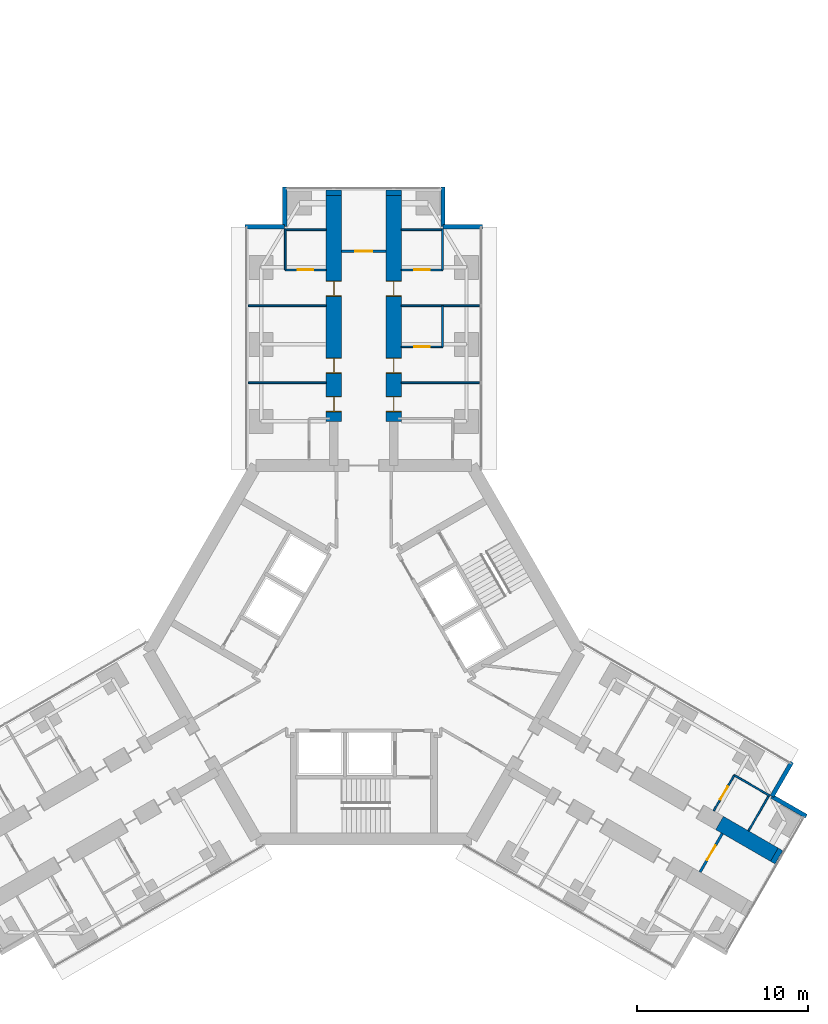
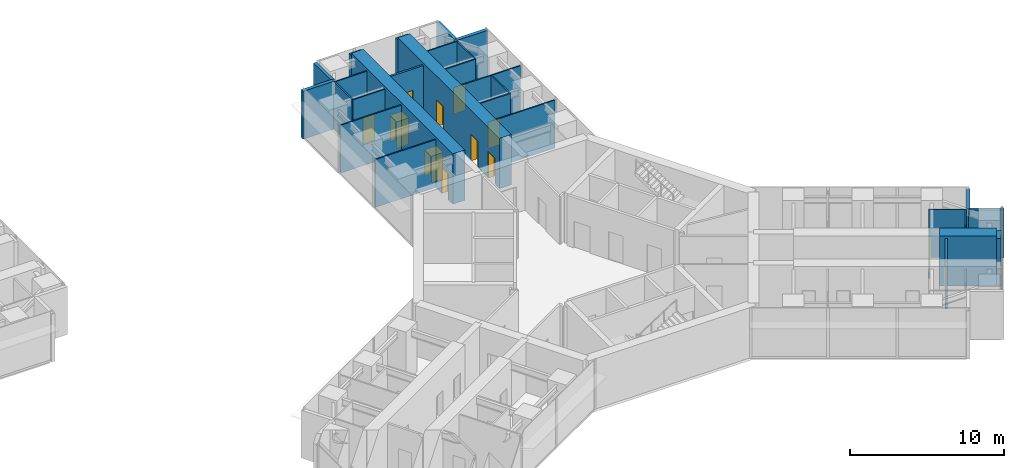
# One storey, part 23 of 25: 29 walls, 12 doors, 12 openings.
"""IFC4 building model written with IfcOpenShell, lengths in metres."""

from ifc_helpers import new_model, si_unit, direction, frame, frame_2d, origin, place, context, subcontext, project, spatial, rectangle, extrude, material, layer, layer_set, type_object, element, fill, save


model = new_model("IFC4")

# Units and contexts
model_context = context("Model", 3, precision=1e-05, world=origin(), true_north=direction((0.0, 1.0)))
body_context = subcontext(model_context, "Body", "Model", "MODEL_VIEW")
ifc_project = project(units=[si_unit("LENGTHUNIT", "METRE"), si_unit("AREAUNIT", "SQUARE_METRE"), si_unit("VOLUMEUNIT", "CUBIC_METRE"), si_unit("PLANEANGLEUNIT", "RADIAN"), si_unit("MASSUNIT", "GRAM", prefix="KILO")], contexts=[model_context])

# Site, building, storey
site_placement = place(None, origin())
site = spatial("IfcSite", under=ifc_project, at=site_placement, CompositionType="ELEMENT")
building_placement = place(site_placement, origin())
building = spatial("IfcBuilding", under=site, at=building_placement, Name="Upepo Twin Towers", CompositionType="ELEMENT")
storey_placement = place(building_placement, frame((0.0, 0.0, 76.5)))
storey = spatial("IfcBuildingStorey", under=building, at=storey_placement, Name="L18", CompositionType="ELEMENT", Elevation=76.5)

# Walls
ifc_material_1 = material(Name="Dense concrete blockwork", Category="masonry")
ifc_layer_1 = layer(ifc_material_1, 0.89990234375)
ifc_layer_set_1 = layer_set([ifc_layer_1], Name="Buttress closer 900, blockwork with fire-stopping to the curtain wall")
wall_type_1 = type_object("IfcWallType", Name="Buttress closer 900, blockwork with fire-stopping to the curtain wall", PredefinedType="PARTITIONING", material=ifc_layer_set_1)
for number, where, z_axis, x_axis, name in (
    (1, (56.75, 8.699951171875, 0.0), (0.0, 0.0, 1.0), (0.0, 1.0, 0.0), "T2 L18 wing A buttress closer L"),
    (2, (60.25, 8.699951171875, 0.0), (0.0, 0.0, 1.0), (0.0, 1.0, 0.0), "T2 L18 wing A buttress closer R"),
    (3, (82.497802734375, -29.83447265625, 0.0), (0.0, 0.0, 1.0), (0.866054481515, -0.499949632511, 0.0), "T2 L18 wing C buttress closer L"),
):
    element("IfcWall", number, at=place(storey_placement, frame(where, z_axis=z_axis, x_axis=x_axis)), inside=storey, type_object=wall_type_1, Name=name, PredefinedType="PARTITIONING", context=body_context, shape_type="SweptSolid", body=[
        extrude(rectangle(XDim=0.31005859375, YDim=0.89990234375, at=frame_2d((0.155029296875, 0.0))), origin(), (0.0, 0.0, 1.0), 3.800048828125),
    ])

# Wall, openings, doors
ifc_material_2 = material(Name="Concrete C60/75", Category="concrete")
ifc_layer_2 = layer(ifc_material_2, 0.89990234375)
ifc_layer_set_2 = layer_set([ifc_layer_2], Name="Concrete C60/75")
wall_type_2 = type_object("IfcWallType", Name="Buttress wall 900 RC", PredefinedType="SHEAR", material=ifc_layer_set_2)
wall_1_placement = place(storey_placement, frame((56.75, -4.5, 0.0), z_axis=(0.0, 0.0, 1.0), x_axis=(0.0, 1.0, 0.0)))
wall_1 = element("IfcWall", 4, at=wall_1_placement, inside=storey, type_object=wall_type_2, Name="T2 wing A buttress wall L part 2", PredefinedType="SHEAR", context=body_context, shape_type="SweptSolid", body=[
    extrude(rectangle(XDim=13.199951171875, YDim=0.89990234375, at=frame_2d((6.60009765625, 0.0))), origin(), (0.0, 0.0, 1.0), 4.0),
])
opening_1_placement = place(wall_1_placement, frame((0.550048828125, 0.0, 0.0)))
opening_1 = element("IfcOpeningElement", 5, at=opening_1_placement, cuts=wall_1, Name="Opening D11", PredefinedType="OPENING", context=body_context, shape_type="SweptSolid", body=[
    extrude(rectangle(XDim=0.89990234375, YDim=2.10009765625, at=frame_2d((0.449951171875, 1.050048828125))), frame((0.0, 0.4599609375, 0.0), z_axis=(0.0, -1.0, 0.0), x_axis=(1.0, 0.0, 0.0)), (0.0, 0.0, 1.0), 0.919921875),
])
opening_2_placement = place(wall_1_placement, frame((2.800048828125, 0.0, 0.0)))
opening_2 = element("IfcOpeningElement", 6, at=opening_2_placement, cuts=wall_1, Name="Opening D14", PredefinedType="OPENING", context=body_context, shape_type="SweptSolid", body=[
    extrude(rectangle(XDim=0.89990234375, YDim=2.10009765625, at=frame_2d((0.449951171875, 1.050048828125))), frame((0.0, 0.4599609375, 0.0), z_axis=(0.0, -1.0, 0.0), x_axis=(1.0, 0.0, 0.0)), (0.0, 0.0, 1.0), 0.919921875),
])
opening_3_placement = place(wall_1_placement, frame((7.300048828125, 0.0, 0.0)))
opening_3 = element("IfcOpeningElement", 7, at=opening_3_placement, cuts=wall_1, Name="Opening D14", PredefinedType="OPENING", context=body_context, shape_type="SweptSolid", body=[
    extrude(rectangle(XDim=0.89990234375, YDim=2.10009765625, at=frame_2d((0.449951171875, 1.050048828125))), frame((0.0, 0.4599609375, 0.0), z_axis=(0.0, -1.0, 0.0), x_axis=(1.0, 0.0, 0.0)), (0.0, 0.0, 1.0), 0.919921875),
])
ifc_material_3 = material(Name="Timber doorset", Category="wood")
door_type_1 = type_object("IfcDoorType", Name="Office door 900 FD30", OperationType="SINGLE_SWING_LEFT", PredefinedType="DOOR", material=ifc_material_3)
door_1_placement = place(opening_2_placement, origin())
door_1 = element("IfcDoor", 8, at=door_1_placement, inside=storey, type_object=door_type_1, Name="T2 L18 staff office door", OperationType="SINGLE_SWING_LEFT", OverallHeight=2.10009765625, OverallWidth=0.89990234375, PredefinedType="DOOR", context=body_context, shape_type="SweptSolid", body=[
    extrude(rectangle(XDim=0.81990234375, YDim=2.06009765625, at=frame_2d((0.449951171875, 1.030029296875))), frame((0.0, 0.02490234375, 0.0), z_axis=(0.0, -1.0, 0.0), x_axis=(1.0, 0.0, 0.0)), (0.0, 0.0, 1.0), 0.050048828125),
    extrude(rectangle(XDim=0.04, YDim=2.10009765625, at=frame_2d((0.02001953125, 1.050048828125))), frame((0.0, 0.44970703125, 0.0), z_axis=(0.0, -1.0, 0.0), x_axis=(1.0, 0.0, 0.0)), (0.0, 0.0, 1.0), 0.8994140625),
    extrude(rectangle(XDim=0.04, YDim=2.10009765625, at=frame_2d((0.8798828125, 1.050048828125))), frame((0.0, 0.44970703125, 0.0), z_axis=(0.0, -1.0, 0.0), x_axis=(1.0, 0.0, 0.0)), (0.0, 0.0, 1.0), 0.8994140625),
    extrude(rectangle(XDim=0.81990234375, YDim=0.04, at=frame_2d((0.449951171875, 2.080078125))), frame((0.0, 0.44970703125, 0.0), z_axis=(0.0, -1.0, 0.0), x_axis=(1.0, 0.0, 0.0)), (0.0, 0.0, 1.0), 0.8994140625),
])
fill(opening_2, door_1)
door_2_placement = place(opening_3_placement, origin())
door_2 = element("IfcDoor", 9, at=door_2_placement, inside=storey, type_object=door_type_1, Name="T2 L18 meeting room door", OperationType="SINGLE_SWING_RIGHT", OverallHeight=2.10009765625, OverallWidth=0.89990234375, PredefinedType="DOOR", context=body_context, shape_type="SweptSolid", body=[
    extrude(rectangle(XDim=0.81990234375, YDim=2.06009765625, at=frame_2d((0.449951171875, 1.030029296875))), frame((0.0, 0.02490234375, 0.0), z_axis=(0.0, -1.0, 0.0), x_axis=(1.0, 0.0, 0.0)), (0.0, 0.0, 1.0), 0.050048828125),
    extrude(rectangle(XDim=0.04, YDim=2.10009765625, at=frame_2d((0.02001953125, 1.050048828125))), frame((0.0, 0.44970703125, 0.0), z_axis=(0.0, -1.0, 0.0), x_axis=(1.0, 0.0, 0.0)), (0.0, 0.0, 1.0), 0.8994140625),
    extrude(rectangle(XDim=0.04, YDim=2.10009765625, at=frame_2d((0.8798828125, 1.050048828125))), frame((0.0, 0.44970703125, 0.0), z_axis=(0.0, -1.0, 0.0), x_axis=(1.0, 0.0, 0.0)), (0.0, 0.0, 1.0), 0.8994140625),
    extrude(rectangle(XDim=0.81990234375, YDim=0.04, at=frame_2d((0.449951171875, 2.080078125))), frame((0.0, 0.44970703125, 0.0), z_axis=(0.0, -1.0, 0.0), x_axis=(1.0, 0.0, 0.0)), (0.0, 0.0, 1.0), 0.8994140625),
])
fill(opening_3, door_2)
ifc_material_4 = material(Name="Timber doorset", Category="wood")
door_type_2 = type_object("IfcDoorType", Name="Toilet door 900", OperationType="SINGLE_SWING_LEFT", PredefinedType="DOOR", material=ifc_material_4)
door_3_placement = place(opening_1_placement, origin())
door_3 = element("IfcDoor", 10, at=door_3_placement, inside=storey, type_object=door_type_2, Name="T2 L18 toilets door", OperationType="SINGLE_SWING_LEFT", OverallHeight=2.10009765625, OverallWidth=0.89990234375, PredefinedType="DOOR", context=body_context, shape_type="SweptSolid", body=[
    extrude(rectangle(XDim=0.81990234375, YDim=2.06009765625, at=frame_2d((0.449951171875, 1.030029296875))), frame((0.0, 0.02490234375, 0.0), z_axis=(0.0, -1.0, 0.0), x_axis=(1.0, 0.0, 0.0)), (0.0, 0.0, 1.0), 0.050048828125),
    extrude(rectangle(XDim=0.04, YDim=2.10009765625, at=frame_2d((0.02001953125, 1.050048828125))), frame((0.0, 0.44970703125, 0.0), z_axis=(0.0, -1.0, 0.0), x_axis=(1.0, 0.0, 0.0)), (0.0, 0.0, 1.0), 0.8994140625),
    extrude(rectangle(XDim=0.04, YDim=2.10009765625, at=frame_2d((0.8798828125, 1.050048828125))), frame((0.0, 0.44970703125, 0.0), z_axis=(0.0, -1.0, 0.0), x_axis=(1.0, 0.0, 0.0)), (0.0, 0.0, 1.0), 0.8994140625),
    extrude(rectangle(XDim=0.81990234375, YDim=0.04, at=frame_2d((0.449951171875, 2.080078125))), frame((0.0, 0.44970703125, 0.0), z_axis=(0.0, -1.0, 0.0), x_axis=(1.0, 0.0, 0.0)), (0.0, 0.0, 1.0), 0.8994140625),
])
fill(opening_1, door_3)

wall_2_placement = place(storey_placement, frame((60.25, -4.5, 0.0), z_axis=(0.0, 0.0, 1.0), x_axis=(0.0, 1.0, 0.0)))
wall_2 = element("IfcWall", 11, at=wall_2_placement, inside=storey, type_object=wall_type_2, Name="T2 wing A buttress wall R part 2", PredefinedType="SHEAR", context=body_context, shape_type="SweptSolid", body=[
    extrude(rectangle(XDim=13.199951171875, YDim=0.89990234375, at=frame_2d((6.60009765625, 0.0))), origin(), (0.0, 0.0, 1.0), 4.0),
])
opening_4_placement = place(wall_2_placement, frame((0.550048828125, 0.0, 0.0)))
opening_4 = element("IfcOpeningElement", 12, at=opening_4_placement, cuts=wall_2, Name="Opening D11", PredefinedType="OPENING", context=body_context, shape_type="SweptSolid", body=[
    extrude(rectangle(XDim=0.89990234375, YDim=2.10009765625, at=frame_2d((0.449951171875, 1.050048828125))), frame((0.0, 0.4599609375, 0.0), z_axis=(0.0, -1.0, 0.0), x_axis=(1.0, 0.0, 0.0)), (0.0, 0.0, 1.0), 0.919921875),
])
opening_5_placement = place(wall_2_placement, frame((2.800048828125, 0.0, 0.0)))
opening_5 = element("IfcOpeningElement", 13, at=opening_5_placement, cuts=wall_2, Name="Opening D14", PredefinedType="OPENING", context=body_context, shape_type="SweptSolid", body=[
    extrude(rectangle(XDim=0.89990234375, YDim=2.10009765625, at=frame_2d((0.449951171875, 1.050048828125))), frame((0.0, 0.4599609375, 0.0), z_axis=(0.0, -1.0, 0.0), x_axis=(1.0, 0.0, 0.0)), (0.0, 0.0, 1.0), 0.919921875),
])
opening_6_placement = place(wall_2_placement, frame((7.300048828125, 0.0, 0.0)))
opening_6 = element("IfcOpeningElement", 14, at=opening_6_placement, cuts=wall_2, Name="Opening D14", PredefinedType="OPENING", context=body_context, shape_type="SweptSolid", body=[
    extrude(rectangle(XDim=0.89990234375, YDim=2.10009765625, at=frame_2d((0.449951171875, 1.050048828125))), frame((0.0, 0.4599609375, 0.0), z_axis=(0.0, -1.0, 0.0), x_axis=(1.0, 0.0, 0.0)), (0.0, 0.0, 1.0), 0.919921875),
])
door_4_placement = place(opening_5_placement, origin())
door_4 = element("IfcDoor", 15, at=door_4_placement, inside=storey, type_object=door_type_1, Name="T2 L18 staff office door", OperationType="SINGLE_SWING_LEFT", OverallHeight=2.10009765625, OverallWidth=0.89990234375, PredefinedType="DOOR", context=body_context, shape_type="SweptSolid", body=[
    extrude(rectangle(XDim=0.81990234375, YDim=2.06009765625, at=frame_2d((0.449951171875, 1.030029296875))), frame((0.0, 0.02490234375, 0.0), z_axis=(0.0, -1.0, 0.0), x_axis=(1.0, 0.0, 0.0)), (0.0, 0.0, 1.0), 0.050048828125),
    extrude(rectangle(XDim=0.04, YDim=2.10009765625, at=frame_2d((0.02001953125, 1.050048828125))), frame((0.0, 0.44970703125, 0.0), z_axis=(0.0, -1.0, 0.0), x_axis=(1.0, 0.0, 0.0)), (0.0, 0.0, 1.0), 0.8994140625),
    extrude(rectangle(XDim=0.04, YDim=2.10009765625, at=frame_2d((0.8798828125, 1.050048828125))), frame((0.0, 0.44970703125, 0.0), z_axis=(0.0, -1.0, 0.0), x_axis=(1.0, 0.0, 0.0)), (0.0, 0.0, 1.0), 0.8994140625),
    extrude(rectangle(XDim=0.81990234375, YDim=0.04, at=frame_2d((0.449951171875, 2.080078125))), frame((0.0, 0.44970703125, 0.0), z_axis=(0.0, -1.0, 0.0), x_axis=(1.0, 0.0, 0.0)), (0.0, 0.0, 1.0), 0.8994140625),
])
fill(opening_5, door_4)
door_5_placement = place(opening_6_placement, origin())
door_5 = element("IfcDoor", 16, at=door_5_placement, inside=storey, type_object=door_type_1, Name="T2 L18 postgraduate office door", OperationType="SINGLE_SWING_RIGHT", OverallHeight=2.10009765625, OverallWidth=0.89990234375, PredefinedType="DOOR", context=body_context, shape_type="SweptSolid", body=[
    extrude(rectangle(XDim=0.81990234375, YDim=2.06009765625, at=frame_2d((0.449951171875, 1.030029296875))), frame((0.0, 0.02490234375, 0.0), z_axis=(0.0, -1.0, 0.0), x_axis=(1.0, 0.0, 0.0)), (0.0, 0.0, 1.0), 0.050048828125),
    extrude(rectangle(XDim=0.04, YDim=2.10009765625, at=frame_2d((0.02001953125, 1.050048828125))), frame((0.0, 0.44970703125, 0.0), z_axis=(0.0, -1.0, 0.0), x_axis=(1.0, 0.0, 0.0)), (0.0, 0.0, 1.0), 0.8994140625),
    extrude(rectangle(XDim=0.04, YDim=2.10009765625, at=frame_2d((0.8798828125, 1.050048828125))), frame((0.0, 0.44970703125, 0.0), z_axis=(0.0, -1.0, 0.0), x_axis=(1.0, 0.0, 0.0)), (0.0, 0.0, 1.0), 0.8994140625),
    extrude(rectangle(XDim=0.81990234375, YDim=0.04, at=frame_2d((0.449951171875, 2.080078125))), frame((0.0, 0.44970703125, 0.0), z_axis=(0.0, -1.0, 0.0), x_axis=(1.0, 0.0, 0.0)), (0.0, 0.0, 1.0), 0.8994140625),
])
fill(opening_6, door_5)
door_6_placement = place(opening_4_placement, origin())
door_6 = element("IfcDoor", 17, at=door_6_placement, inside=storey, type_object=door_type_2, Name="T2 L18 accessible wc door", OperationType="SINGLE_SWING_LEFT", OverallHeight=2.10009765625, OverallWidth=0.89990234375, PredefinedType="DOOR", context=body_context, shape_type="SweptSolid", body=[
    extrude(rectangle(XDim=0.81990234375, YDim=2.06009765625, at=frame_2d((0.449951171875, 1.030029296875))), frame((0.0, 0.02490234375, 0.0), z_axis=(0.0, -1.0, 0.0), x_axis=(1.0, 0.0, 0.0)), (0.0, 0.0, 1.0), 0.050048828125),
    extrude(rectangle(XDim=0.04, YDim=2.10009765625, at=frame_2d((0.02001953125, 1.050048828125))), frame((0.0, 0.44970703125, 0.0), z_axis=(0.0, -1.0, 0.0), x_axis=(1.0, 0.0, 0.0)), (0.0, 0.0, 1.0), 0.8994140625),
    extrude(rectangle(XDim=0.04, YDim=2.10009765625, at=frame_2d((0.8798828125, 1.050048828125))), frame((0.0, 0.44970703125, 0.0), z_axis=(0.0, -1.0, 0.0), x_axis=(1.0, 0.0, 0.0)), (0.0, 0.0, 1.0), 0.8994140625),
    extrude(rectangle(XDim=0.81990234375, YDim=0.04, at=frame_2d((0.449951171875, 2.080078125))), frame((0.0, 0.44970703125, 0.0), z_axis=(0.0, -1.0, 0.0), x_axis=(1.0, 0.0, 0.0)), (0.0, 0.0, 1.0), 0.8994140625),
])
fill(opening_4, door_6)

# Walls
wall_3_placement = place(storey_placement, frame((79.293701171875, -27.984375, 0.0), z_axis=(0.0, 0.0, 1.0), x_axis=(0.866000971088, -0.500042316284, 0.0)))
element("IfcWall", 18, at=wall_3_placement, inside=storey, type_object=wall_type_2, Name="T2 wing C buttress wall L part 3", PredefinedType="SHEAR", context=body_context, shape_type="SweptSolid", body=[
    extrude(rectangle(XDim=3.699951171875, YDim=0.89990234375, at=frame_2d((1.85009765625, 0.0))), origin(), (0.0, 0.0, 1.0), 4.0),
])
ifc_material_5 = material(Name="Blockwork with anodised aluminium cladding", Category="masonry")
ifc_layer_3 = layer(ifc_material_5, 0.25)
ifc_layer_set_3 = layer_set([ifc_layer_3], Name="Notch cladding wall 250, pale metal")
wall_type_3 = type_object("IfcWallType", Name="Notch cladding wall 250, pale metal", PredefinedType="STANDARD", material=ifc_layer_set_3)
for number, where, z_axis, x_axis, name in (
    (19, (51.550048828125, 6.875, 0.0), (0.0, 0.0, 1.0), (1.0, 0.0, 0.0), "T2 L18 wing A notch wall L1"),
    (20, (53.875, 6.875, 0.0), (0.0, 0.0, 1.0), (0.0, 1.0, 0.0), "T2 L18 wing A notch wall L2"),
    (21, (65.449951171875, 6.875, 0.0), (0.0, 0.0, 1.0), (-1.0, 0.0, 0.0), "T2 L18 wing A notch wall R1"),
    (22, (63.125, 6.875, 0.0), (0.0, 0.0, 1.0), (0.0, 1.0, 0.0), "T2 L18 wing A notch wall R2"),
    (23, (83.517333984375, -24.418701171875, 0.0), (0.0, 0.0, 1.0), (-0.499967891604, -0.866043940782, 0.0), "T2 L18 wing C notch wall L1"),
    (24, (82.35498046875, -26.43212890625, 0.0), (0.0, 0.0, 1.0), (0.865998469481, -0.500046648681, 0.0), "T2 L18 wing C notch wall L2"),
):
    element("IfcWall", number, at=place(storey_placement, frame(where, z_axis=z_axis, x_axis=x_axis)), inside=storey, type_object=wall_type_3, Name=name, PredefinedType="STANDARD", context=body_context, shape_type="SweptSolid", body=[
        extrude(rectangle(XDim=2.324951171875, YDim=0.25, at=frame_2d((1.16259765625, 0.0))), origin(), (0.0, 0.0, 1.0), 3.800048828125),
    ])
ifc_material_6 = material(Name="Gypsum board on steel studs", Category="steel")
ifc_layer_4 = layer(ifc_material_6, 0.10009765625)
ifc_layer_set_4 = layer_set([ifc_layer_4], Name="Office partition 100 stud")
wall_type_4 = type_object("IfcWallType", Name="Office partition 100 stud", PredefinedType="PARTITIONING", material=ifc_layer_set_4)
for number, where, z_axis, x_axis, name in (
    (25, (56.300048828125, -2.25, 0.0), (0.0, 0.0, 1.0), (-1.0, 0.0, 0.0), "T2 partition AL at 15.75"),
    (26, (56.300048828125, 2.25, 0.0), (0.0, 0.0, 1.0), (-1.0, 0.0, 0.0), "T2 partition AL at 20.25"),
):
    element("IfcWall", number, at=place(storey_placement, frame(where, z_axis=z_axis, x_axis=x_axis)), inside=storey, type_object=wall_type_4, Name=name, PredefinedType="PARTITIONING", context=body_context, shape_type="SweptSolid", body=[
        extrude(rectangle(XDim=4.550048828125, YDim=0.10009765625, at=frame_2d((2.27490234375, 0.0))), origin(), (0.0, 0.0, 1.0), 3.800048828125),
    ])
wall_4_placement = place(storey_placement, frame((53.89990234375, 4.35009765625, 0.0), z_axis=(0.0, 0.0, 1.0), x_axis=(0.0, 1.0, 0.0)))
element("IfcWall", 27, at=wall_4_placement, inside=storey, type_object=wall_type_4, Name="T2 inner room partition AL at 22.35", PredefinedType="PARTITIONING", context=body_context, shape_type="SweptSolid", body=[
    extrude(rectangle(XDim=2.39990234375, YDim=0.10009765625, at=frame_2d((1.199951171875, 0.0))), origin(), (0.0, 0.0, 1.0), 3.800048828125),
])

# Wall, opening, door
wall_5_placement = place(storey_placement, frame((56.300048828125, 4.35009765625, 0.0), z_axis=(0.0, 0.0, 1.0), x_axis=(-1.0, 0.0, 0.0)))
wall_5 = element("IfcWall", 28, at=wall_5_placement, inside=storey, type_object=wall_type_4, Name="T2 inner room partition AL end at 22.35", PredefinedType="PARTITIONING", context=body_context, shape_type="SweptSolid", body=[
    extrude(rectangle(XDim=2.400146484375, YDim=0.10009765625, at=frame_2d((1.2001953125, 0.0))), origin(), (0.0, 0.0, 1.0), 3.800048828125),
])
opening_7_placement = place(wall_5_placement, frame((0.75, 0.0, 0.0)))
opening_7 = element("IfcOpeningElement", 29, at=opening_7_placement, cuts=wall_5, Name="Opening D14", PredefinedType="OPENING", context=body_context, shape_type="SweptSolid", body=[
    extrude(rectangle(XDim=0.89990234375, YDim=2.10009765625, at=frame_2d((0.449951171875, 1.050048828125))), frame((0.0, 0.06005859375, 0.0), z_axis=(0.0, -1.0, 0.0), x_axis=(1.0, 0.0, 0.0)), (0.0, 0.0, 1.0), 0.1201171875),
])
door_7_placement = place(opening_7_placement, origin())
door_7 = element("IfcDoor", 30, at=door_7_placement, inside=storey, type_object=door_type_1, Name="T2 L18 inner room door", OperationType="SINGLE_SWING_LEFT", OverallHeight=2.10009765625, OverallWidth=0.89990234375, PredefinedType="DOOR", context=body_context, shape_type="SweptSolid", body=[
    extrude(rectangle(XDim=0.89990234375, YDim=2.10009765625, at=frame_2d((0.449951171875, 1.050048828125))), frame((0.0, 0.02490234375, 0.0), z_axis=(0.0, -1.0, 0.0), x_axis=(1.0, 0.0, 0.0)), (0.0, 0.0, 1.0), 0.050048828125),
])
fill(opening_7, door_7)

# Walls
wall_6_placement = place(storey_placement, frame((56.300048828125, 6.699951171875, 0.0), z_axis=(0.0, 0.0, 1.0), x_axis=(-1.0, 0.0, 0.0)))
element("IfcWall", 31, at=wall_6_placement, inside=storey, type_object=wall_type_4, Name="T2 inner room partition AL end at 24.75", PredefinedType="PARTITIONING", context=body_context, shape_type="SweptSolid", body=[
    extrude(rectangle(XDim=2.400146484375, YDim=0.10009765625, at=frame_2d((1.2001953125, 0.0))), origin(), (0.0, 0.0, 1.0), 3.800048828125),
])
for number, where, z_axis, x_axis, name in (
    (32, (60.699951171875, -2.25, 0.0), (0.0, 0.0, 1.0), (1.0, 0.0, 0.0), "T2 partition AR at 15.75"),
    (33, (60.699951171875, 2.25, 0.0), (0.0, 0.0, 1.0), (1.0, 0.0, 0.0), "T2 partition AR at 20.25"),
):
    element("IfcWall", number, at=place(storey_placement, frame(where, z_axis=z_axis, x_axis=x_axis)), inside=storey, type_object=wall_type_4, Name=name, PredefinedType="PARTITIONING", context=body_context, shape_type="SweptSolid", body=[
        extrude(rectangle(XDim=4.550048828125, YDim=0.10009765625, at=frame_2d((2.27490234375, 0.0))), origin(), (0.0, 0.0, 1.0), 3.800048828125),
    ])
wall_7_placement = place(storey_placement, frame((63.10009765625, -0.14990234375, 0.0), z_axis=(0.0, 0.0, 1.0), x_axis=(0.0, 1.0, 0.0)))
element("IfcWall", 34, at=wall_7_placement, inside=storey, type_object=wall_type_4, Name="T2 inner room partition AR at 17.85", PredefinedType="PARTITIONING", context=body_context, shape_type="SweptSolid", body=[
    extrude(rectangle(XDim=2.39990234375, YDim=0.10009765625, at=frame_2d((1.199951171875, 0.0))), origin(), (0.0, 0.0, 1.0), 3.800048828125),
])

# Wall, opening, door
wall_8_placement = place(storey_placement, frame((60.699951171875, -0.14990234375, 0.0), z_axis=(0.0, 0.0, 1.0), x_axis=(1.0, 0.0, 0.0)))
wall_8 = element("IfcWall", 35, at=wall_8_placement, inside=storey, type_object=wall_type_4, Name="T2 inner room partition AR end at 17.85", PredefinedType="PARTITIONING", context=body_context, shape_type="SweptSolid", body=[
    extrude(rectangle(XDim=2.400146484375, YDim=0.10009765625, at=frame_2d((1.2001953125, 0.0))), origin(), (0.0, 0.0, 1.0), 3.800048828125),
])
opening_8_placement = place(wall_8_placement, frame((0.75, 0.0, 0.0)))
opening_8 = element("IfcOpeningElement", 36, at=opening_8_placement, cuts=wall_8, Name="Opening D14", PredefinedType="OPENING", context=body_context, shape_type="SweptSolid", body=[
    extrude(rectangle(XDim=0.89990234375, YDim=2.10009765625, at=frame_2d((0.449951171875, 1.050048828125))), frame((0.0, 0.06005859375, 0.0), z_axis=(0.0, -1.0, 0.0), x_axis=(1.0, 0.0, 0.0)), (0.0, 0.0, 1.0), 0.1201171875),
])
door_8_placement = place(opening_8_placement, origin())
door_8 = element("IfcDoor", 37, at=door_8_placement, inside=storey, type_object=door_type_1, Name="T2 L18 inner room door", OperationType="SINGLE_SWING_LEFT", OverallHeight=2.10009765625, OverallWidth=0.89990234375, PredefinedType="DOOR", context=body_context, shape_type="SweptSolid", body=[
    extrude(rectangle(XDim=0.89990234375, YDim=2.10009765625, at=frame_2d((0.449951171875, 1.050048828125))), frame((0.0, 0.02490234375, 0.0), z_axis=(0.0, -1.0, 0.0), x_axis=(1.0, 0.0, 0.0)), (0.0, 0.0, 1.0), 0.050048828125),
])
fill(opening_8, door_8)

# Wall
wall_9_placement = place(storey_placement, frame((63.10009765625, 4.35009765625, 0.0), z_axis=(0.0, 0.0, 1.0), x_axis=(0.0, 1.0, 0.0)))
element("IfcWall", 38, at=wall_9_placement, inside=storey, type_object=wall_type_4, Name="T2 inner room partition AR at 22.35", PredefinedType="PARTITIONING", context=body_context, shape_type="SweptSolid", body=[
    extrude(rectangle(XDim=2.39990234375, YDim=0.10009765625, at=frame_2d((1.199951171875, 0.0))), origin(), (0.0, 0.0, 1.0), 3.800048828125),
])

# Wall, opening, door
wall_10_placement = place(storey_placement, frame((60.699951171875, 4.35009765625, 0.0), z_axis=(0.0, 0.0, 1.0), x_axis=(1.0, 0.0, 0.0)))
wall_10 = element("IfcWall", 39, at=wall_10_placement, inside=storey, type_object=wall_type_4, Name="T2 inner room partition AR end at 22.35", PredefinedType="PARTITIONING", context=body_context, shape_type="SweptSolid", body=[
    extrude(rectangle(XDim=2.400146484375, YDim=0.10009765625, at=frame_2d((1.2001953125, 0.0))), origin(), (0.0, 0.0, 1.0), 3.800048828125),
])
opening_9_placement = place(wall_10_placement, frame((0.75, 0.0, 0.0)))
opening_9 = element("IfcOpeningElement", 40, at=opening_9_placement, cuts=wall_10, Name="Opening D14", PredefinedType="OPENING", context=body_context, shape_type="SweptSolid", body=[
    extrude(rectangle(XDim=0.89990234375, YDim=2.10009765625, at=frame_2d((0.449951171875, 1.050048828125))), frame((0.0, 0.06005859375, 0.0), z_axis=(0.0, -1.0, 0.0), x_axis=(1.0, 0.0, 0.0)), (0.0, 0.0, 1.0), 0.1201171875),
])
door_9_placement = place(opening_9_placement, origin())
door_9 = element("IfcDoor", 41, at=door_9_placement, inside=storey, type_object=door_type_1, Name="T2 L18 inner room door", OperationType="SINGLE_SWING_LEFT", OverallHeight=2.10009765625, OverallWidth=0.89990234375, PredefinedType="DOOR", context=body_context, shape_type="SweptSolid", body=[
    extrude(rectangle(XDim=0.89990234375, YDim=2.10009765625, at=frame_2d((0.449951171875, 1.050048828125))), frame((0.0, 0.02490234375, 0.0), z_axis=(0.0, -1.0, 0.0), x_axis=(1.0, 0.0, 0.0)), (0.0, 0.0, 1.0), 0.050048828125),
])
fill(opening_9, door_9)

# Walls
wall_11_placement = place(storey_placement, frame((60.699951171875, 6.699951171875, 0.0), z_axis=(0.0, 0.0, 1.0), x_axis=(1.0, 0.0, 0.0)))
element("IfcWall", 42, at=wall_11_placement, inside=storey, type_object=wall_type_4, Name="T2 inner room partition AR end at 24.75", PredefinedType="PARTITIONING", context=body_context, shape_type="SweptSolid", body=[
    extrude(rectangle(XDim=2.400146484375, YDim=0.10009765625, at=frame_2d((1.2001953125, 0.0))), origin(), (0.0, 0.0, 1.0), 3.800048828125),
])
wall_12_placement = place(storey_placement, frame((80.15576171875, -25.191162109375, 0.0), z_axis=(0.0, 0.0, 1.0), x_axis=(0.865980596518, -0.500077600433, 0.0)))
element("IfcWall", 43, at=wall_12_placement, inside=storey, type_object=wall_type_4, Name="T2 inner room partition CL at 22.35", PredefinedType="PARTITIONING", context=body_context, shape_type="SweptSolid", body=[
    extrude(rectangle(XDim=2.39990234375, YDim=0.10009765625, at=frame_2d((1.199951171875, 0.0))), origin(), (0.0, 0.0, 1.0), 3.800048828125),
])

# Wall, opening, door
wall_13_placement = place(storey_placement, frame((78.95556640625, -27.269775390625, 0.0), z_axis=(0.0, 0.0, 1.0), x_axis=(0.500033551112, 0.866006032174, 0.0)))
wall_13 = element("IfcWall", 44, at=wall_13_placement, inside=storey, type_object=wall_type_4, Name="T2 inner room partition CL end at 22.35", PredefinedType="PARTITIONING", context=body_context, shape_type="SweptSolid", body=[
    extrude(rectangle(XDim=2.400146484375, YDim=0.10009765625, at=frame_2d((1.2001953125, 0.0))), origin(), (0.0, 0.0, 1.0), 3.800048828125),
])
opening_10_placement = place(wall_13_placement, frame((0.75, 0.0, 0.0)))
opening_10 = element("IfcOpeningElement", 45, at=opening_10_placement, cuts=wall_13, Name="Opening D14", PredefinedType="OPENING", context=body_context, shape_type="SweptSolid", body=[
    extrude(rectangle(XDim=0.89990234375, YDim=2.10009765625, at=frame_2d((0.449951171875, 1.050048828125))), frame((0.0, 0.06005859375, 0.0), z_axis=(0.0, -1.0, 0.0), x_axis=(1.0, 0.0, 0.0)), (0.0, 0.0, 1.0), 0.1201171875),
])
door_10_placement = place(opening_10_placement, origin())
door_10 = element("IfcDoor", 46, at=door_10_placement, inside=storey, type_object=door_type_1, Name="T2 L18 inner room door", OperationType="SINGLE_SWING_LEFT", OverallHeight=2.10009765625, OverallWidth=0.89990234375, PredefinedType="DOOR", context=body_context, shape_type="SweptSolid", body=[
    extrude(rectangle(XDim=0.89990234375, YDim=2.10009765625, at=frame_2d((0.449951171875, 1.050048828125))), frame((0.0, 0.02490234375, 0.0), z_axis=(0.0, -1.0, 0.0), x_axis=(1.0, 0.0, 0.0)), (0.0, 0.0, 1.0), 0.050048828125),
])
fill(opening_10, door_10)

# Wall
wall_14_placement = place(storey_placement, frame((80.99072265625, -28.44482421875, 0.0), z_axis=(0.0, 0.0, 1.0), x_axis=(0.500033551112, 0.866006032174, 0.0)))
element("IfcWall", 47, at=wall_14_placement, inside=storey, type_object=wall_type_4, Name="T2 inner room partition CL end at 24.75", PredefinedType="PARTITIONING", context=body_context, shape_type="SweptSolid", body=[
    extrude(rectangle(XDim=2.400146484375, YDim=0.10009765625, at=frame_2d((1.2001953125, 0.0))), origin(), (0.0, 0.0, 1.0), 3.800048828125),
])

# Wall, opening, door
ifc_material_7 = material(Name="Gypsum board on steel studs", Category="steel")
ifc_layer_5 = layer(ifc_material_7, 0.14990234375)
ifc_layer_set_5 = layer_set([ifc_layer_5], Name="Teaching partition 150 acoustic")
wall_type_5 = type_object("IfcWallType", Name="Teaching partition 150 acoustic", PredefinedType="PARTITIONING", material=ifc_layer_set_5)
wall_15_placement = place(storey_placement, frame((59.800048828125, 5.449951171875, 0.0), z_axis=(0.0, 0.0, 1.0), x_axis=(-1.0, 0.0, 0.0)))
wall_15 = element("IfcWall", 48, at=wall_15_placement, inside=storey, type_object=wall_type_5, Name="T2 corridor end partition A at 23.45", PredefinedType="PARTITIONING", context=body_context, shape_type="SweptSolid", body=[
    extrude(rectangle(XDim=2.60009765625, YDim=0.14990234375, at=frame_2d((1.300048828125, 0.0))), origin(), (0.0, 0.0, 1.0), 3.800048828125),
])
opening_11_placement = place(wall_15_placement, frame((0.800048828125, 0.0, 0.0)))
opening_11 = element("IfcOpeningElement", 49, at=opening_11_placement, cuts=wall_15, Name="Opening D1", PredefinedType="OPENING", context=body_context, shape_type="SweptSolid", body=[
    extrude(rectangle(XDim=1.0, YDim=2.10009765625, at=frame_2d((0.5, 1.050048828125))), frame((0.0, 0.0849609375, 0.0), z_axis=(0.0, -1.0, 0.0), x_axis=(1.0, 0.0, 0.0)), (0.0, 0.0, 1.0), 0.169921875),
])
ifc_material_8 = material(Name="Timber doorset", Category="wood")
door_type_3 = type_object("IfcDoorType", Name="Room door 1000 FD30", OperationType="SINGLE_SWING_LEFT", PredefinedType="DOOR", material=ifc_material_8)
door_11_placement = place(opening_11_placement, origin())
door_11 = element("IfcDoor", 50, at=door_11_placement, inside=storey, type_object=door_type_3, Name="T2 L18 breakout study room door", OperationType="SINGLE_SWING_LEFT", OverallHeight=2.10009765625, OverallWidth=1.0, PredefinedType="DOOR", context=body_context, shape_type="SweptSolid", body=[
    extrude(rectangle(XDim=1.0, YDim=2.10009765625, at=frame_2d((0.5, 1.050048828125))), frame((0.0, 0.02490234375, 0.0), z_axis=(0.0, -1.0, 0.0), x_axis=(1.0, 0.0, 0.0)), (0.0, 0.0, 1.0), 0.050048828125),
])
fill(opening_11, door_11)

wall_16_placement = place(storey_placement, frame((78.158203125, -30.850830078125, 0.0), z_axis=(0.0, 0.0, 1.0), x_axis=(0.500006934395, 0.866021400173, 0.0)))
wall_16 = element("IfcWall", 51, at=wall_16_placement, inside=storey, type_object=wall_type_5, Name="T2 corridor end partition C at 23.45", PredefinedType="PARTITIONING", context=body_context, shape_type="SweptSolid", body=[
    extrude(rectangle(XDim=2.60009765625, YDim=0.14990234375, at=frame_2d((1.300048828125, 0.0))), origin(), (0.0, 0.0, 1.0), 3.800048828125),
])
opening_12_placement = place(wall_16_placement, frame((0.800048828125, 0.0, 0.0)))
opening_12 = element("IfcOpeningElement", 52, at=opening_12_placement, cuts=wall_16, Name="Opening D1", PredefinedType="OPENING", context=body_context, shape_type="SweptSolid", body=[
    extrude(rectangle(XDim=1.0, YDim=2.10009765625, at=frame_2d((0.5, 1.050048828125))), frame((0.0, 0.0849609375, 0.0), z_axis=(0.0, -1.0, 0.0), x_axis=(1.0, 0.0, 0.0)), (0.0, 0.0, 1.0), 0.169921875),
])
door_12_placement = place(opening_12_placement, origin())
door_12 = element("IfcDoor", 53, at=door_12_placement, inside=storey, type_object=door_type_3, Name="T2 L18 breakout study room door", OperationType="SINGLE_SWING_LEFT", OverallHeight=2.10009765625, OverallWidth=1.0, PredefinedType="DOOR", context=body_context, shape_type="SweptSolid", body=[
    extrude(rectangle(XDim=1.0, YDim=2.10009765625, at=frame_2d((0.5, 1.050048828125))), frame((0.0, 0.02490234375, 0.0), z_axis=(0.0, -1.0, 0.0), x_axis=(1.0, 0.0, 0.0)), (0.0, 0.0, 1.0), 0.050048828125),
])
fill(opening_12, door_12)

save(model, "model.ifc")
